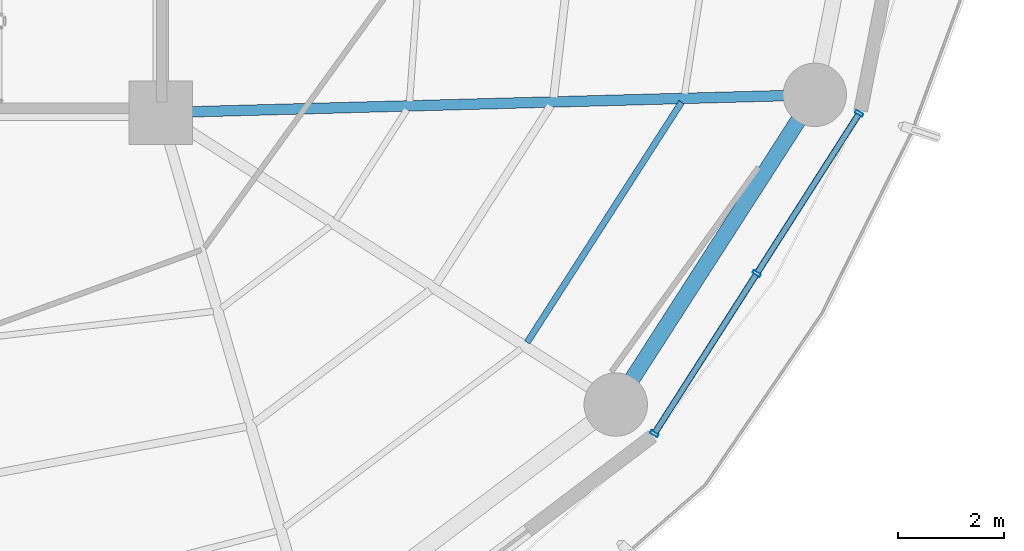
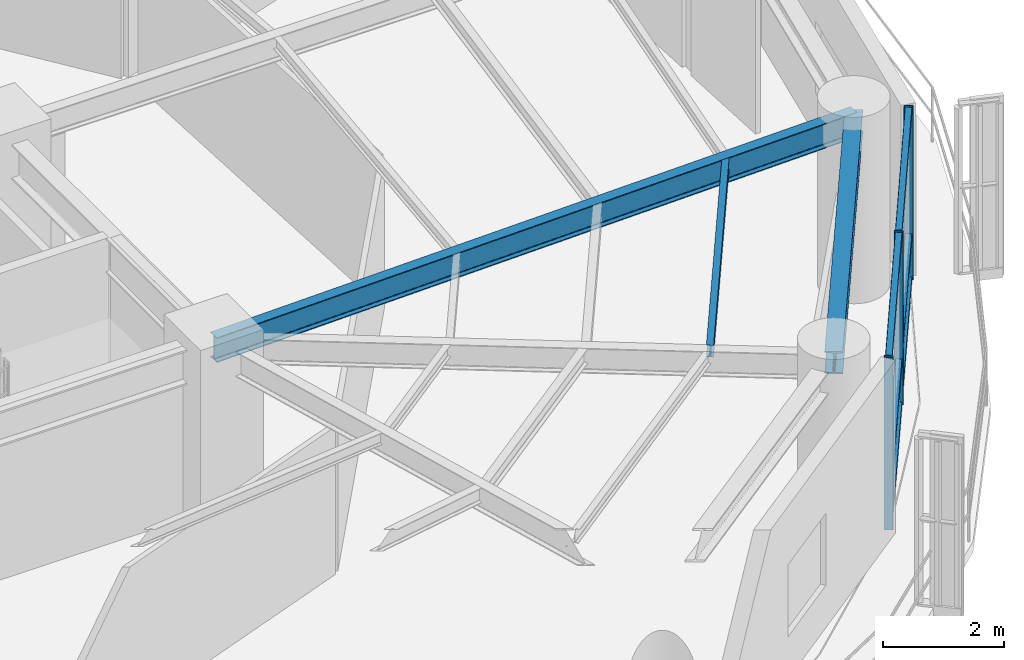
# One storey, part 11 of 28: 9 members, 3 beams, 1 element without a shape of its own.
"""IFC4 building model written with IfcOpenShell, lengths in metres."""

from ifc_helpers import new_model, si_unit, direction, frame, origin, origin_2d, place, context, subcontext, project, spatial, hollow_rectangle, i_section, extrude, material, layer, layer_set, material_profile, profile_set, type_object, element, aggregate, save


model = new_model("IFC4")

# Units and contexts
model_context = context("Model", 3, precision=1e-05, world=origin(), true_north=direction((0.0, 1.0)))
body_context = subcontext(model_context, "Body", "Model", "MODEL_VIEW")
ifc_project = project(units=[si_unit("LENGTHUNIT", "METRE"), si_unit("AREAUNIT", "SQUARE_METRE"), si_unit("VOLUMEUNIT", "CUBIC_METRE"), si_unit("PLANEANGLEUNIT", "RADIAN"), si_unit("MASSUNIT", "GRAM", prefix="KILO")], contexts=[model_context])

# Site, building, storey
site_placement = place(None, origin())
site = spatial("IfcSite", under=ifc_project, at=site_placement, CompositionType="ELEMENT")
building_placement = place(site_placement, origin())
building = spatial("IfcBuilding", under=site, at=building_placement, Name="Kelanora Arch Commons", CompositionType="ELEMENT")
storey_placement = place(building_placement, frame((0.0, 0.0, 176.85009765625)))
storey = spatial("IfcBuildingStorey", under=building, at=storey_placement, Name="L45", CompositionType="ELEMENT", Elevation=176.85009765625)

# Beams
ifc_material_1 = material(Name="Steel S355", Category="steel")
ifc_material_profile_1 = material_profile(ifc_material_1, i_section(OverallWidth=0.1201171875, OverallDepth=0.239990234375, WebThickness=0.006103515625, FlangeThickness=0.009765625, FilletRadius=0.014892578125, at=origin_2d()), Name="IPE240")
ifc_profile_set_1 = profile_set([ifc_material_profile_1], Name="Steel S355")
beam_type_1 = type_object("IfcBeamType", Name="BM-JST-02", PredefinedType="JOIST", material=ifc_profile_set_1)
beam_1_placement = place(storey_placement, frame((88.93212890625, 46.654296875, 3.369873046875), z_axis=(0.540581678156, 0.841291536414, 0.0), x_axis=(-0.841291536414, 0.540581678156, 0.0)))
element("IfcBeam", 1, at=beam_1_placement, inside=storey, type_object=beam_type_1, Name="Secondary Chord Joist BJC-32 L45", PredefinedType="JOIST", context=body_context, shape_type="SweptSolid", body=[
    extrude(i_section(OverallWidth=0.1201171875, OverallDepth=0.239990234375, WebThickness=0.006103515625, FlangeThickness=0.009765625, FilletRadius=0.014892578125, at=origin_2d()), origin(), (0.0, 0.0, 1.0), 5.4013671875),
])
ifc_material_profile_2 = material_profile(ifc_material_1, i_section(OverallWidth=0.199951171875, OverallDepth=0.5, WebThickness=0.01025390625, FlangeThickness=0.01611328125, FilletRadius=0.02099609375, at=origin_2d()), Name="IPE500")
ifc_profile_set_2 = profile_set([ifc_material_profile_2], Name="Steel S355")
beam_type_2 = type_object("IfcBeamType", Name="BM-RAD-Z3", PredefinedType="BEAM", material=ifc_profile_set_2)
beam_2_placement = place(storey_placement, frame((82.0, 51.0, 3.239990234375), z_axis=(0.999628374924, 0.027260081577, 0.0), x_axis=(-0.027260081577, 0.999628374924, 0.0)))
element("IfcBeam", 2, at=beam_2_placement, inside=storey, type_object=beam_type_2, Name="Radial Floor Girder BR-34 L45", PredefinedType="BEAM", context=body_context, shape_type="SweptSolid", body=[
    extrude(i_section(OverallWidth=0.199951171875, OverallDepth=0.5, WebThickness=0.01025390625, FlangeThickness=0.01611328125, FilletRadius=0.02099609375, at=origin_2d()), origin(), (0.0, 0.0, 1.0), 12.377197265625),
])
ifc_material_profile_3 = material_profile(ifc_material_1, i_section(OverallWidth=0.300048828125, OverallDepth=0.449951171875, WebThickness=0.013916015625, FlangeThickness=0.02587890625, FilletRadius=0.027099609375, at=origin_2d()), Name="HEB450")
ifc_profile_set_3 = profile_set([ifc_material_profile_3], Name="Steel S355")
beam_type_3 = type_object("IfcBeamType", Name="BM-SPN-Z3", PredefinedType="SPANDREL", material=ifc_profile_set_3)
beam_3_placement = place(storey_placement, frame((90.60791015625, 45.478515625, 3.264892578125), z_axis=(0.540576852469, 0.841294637196, 0.0), x_axis=(-0.841294637196, 0.540576852469, 0.0)))
element("IfcBeam", 3, at=beam_3_placement, inside=storey, type_object=beam_type_3, Name="Perimeter Spandrel Beam BS-32 L45", PredefinedType="SPANDREL", context=body_context, shape_type="SweptSolid", body=[
    extrude(i_section(OverallWidth=0.300048828125, OverallDepth=0.449951171875, WebThickness=0.013916015625, FlangeThickness=0.02587890625, FilletRadius=0.027099609375, at=origin_2d()), origin(), (0.0, 0.0, 1.0), 6.964111328125),
])

# Curtain wall, members
ifc_material_2 = material(Name="Terracotta ceramic-fritted low-E glass and aluminium", Category="masonry")
ifc_layer = layer(ifc_material_2, 0.175048828125)
ifc_layer_set = layer_set([ifc_layer], Name="Terracotta ceramic-fritted low-E glass and aluminium")
curtain_wall_type = type_object("IfcCurtainWallType", Name="CW-SYS-02", PredefinedType="NOTDEFINED", material=ifc_layer_set)
curtain_wall_placement = place(storey_placement, origin())
curtain_wall = element("IfcCurtainWall", 4, at=curtain_wall_placement, inside=storey, type_object=curtain_wall_type, Name="Unitised Curtain Wall L45-B16", PredefinedType="NOTDEFINED")
ifc_material_3 = material(Name="Powder-coated aluminium terracotta", Category="masonry")
ifc_material_profile_4 = material_profile(ifc_material_3, hollow_rectangle(XDim=0.159912109375, YDim=0.06005859375, WallThickness=0.0048828125, InnerFilletRadius=0.0048828125, OuterFilletRadius=0.010009765625, at=origin_2d()), Name="CWM160x60")
ifc_profile_set_4 = profile_set([ifc_material_profile_4], Name="Powder-coated aluminium terracotta")
member_type_1 = type_object("IfcMemberType", Name="CWM-STD", PredefinedType="MULLION", material=ifc_profile_set_4)
member_1_placement = place(storey_placement, frame((91.3369140625, 44.925048828125, 0.0), z_axis=(0.0, 0.0, 1.0), x_axis=(-0.842422846546, 0.538816988983, 0.0)))
member_1 = element("IfcMember", 5, at=member_1_placement, type_object=member_type_1, Name="CW-02 mullion 1", PredefinedType="MULLION", context=body_context, shape_type="SweptSolid", body=[
    extrude(hollow_rectangle(XDim=0.159912109375, YDim=0.06005859375, WallThickness=0.0048828125, InnerFilletRadius=0.0048828125, OuterFilletRadius=0.010009765625, at=origin_2d()), origin(), (0.0, 0.0, 1.0), 3.474853515625),
])
member_2_placement = place(storey_placement, frame((93.27490234375, 47.954833984375, 0.0), z_axis=(0.0, 0.0, 1.0), x_axis=(-0.842422846546, 0.538816988983, 0.0)))
member_2 = element("IfcMember", 6, at=member_2_placement, type_object=member_type_1, Name="CW-02 mullion 2", PredefinedType="MULLION", context=body_context, shape_type="SweptSolid", body=[
    extrude(hollow_rectangle(XDim=0.159912109375, YDim=0.06005859375, WallThickness=0.0048828125, InnerFilletRadius=0.0048828125, OuterFilletRadius=0.010009765625, at=origin_2d()), origin(), (0.0, 0.0, 1.0), 3.474853515625),
])
member_3_placement = place(storey_placement, frame((95.212890625, 50.98486328125, 0.0), z_axis=(0.0, 0.0, 1.0), x_axis=(-0.842422846546, 0.538816988983, 0.0)))
member_3 = element("IfcMember", 7, at=member_3_placement, type_object=member_type_1, Name="CW-02 mullion 3", PredefinedType="MULLION", context=body_context, shape_type="SweptSolid", body=[
    extrude(hollow_rectangle(XDim=0.159912109375, YDim=0.06005859375, WallThickness=0.0048828125, InnerFilletRadius=0.0048828125, OuterFilletRadius=0.010009765625, at=origin_2d()), origin(), (0.0, 0.0, 1.0), 3.474853515625),
])
ifc_material_profile_5 = material_profile(ifc_material_3, hollow_rectangle(XDim=0.1201171875, YDim=0.06005859375, WallThickness=0.0048828125, InnerFilletRadius=0.0048828125, OuterFilletRadius=0.010009765625, at=origin_2d()), Name="CWT120x60")
ifc_profile_set_5 = profile_set([ifc_material_profile_5], Name="Powder-coated aluminium terracotta")
member_type_2 = type_object("IfcMemberType", Name="CWT-STD", PredefinedType="USERDEFINED", material=ifc_profile_set_5)
member_4_placement = place(storey_placement, frame((91.35302734375, 44.9501953125, 0.02978515625), z_axis=(0.53883037555, 0.842414284295, 0.0), x_axis=(-0.842414284295, 0.53883037555, 0.0)))
member_4 = element("IfcMember", 8, at=member_4_placement, type_object=member_type_2, Name="CW-02 transom 1.1", ObjectType="TRANSOM", PredefinedType="USERDEFINED", context=body_context, shape_type="SweptSolid", body=[
    extrude(hollow_rectangle(XDim=0.1201171875, YDim=0.06005859375, WallThickness=0.0048828125, InnerFilletRadius=0.0048828125, OuterFilletRadius=0.010009765625, at=origin_2d()), origin(), (0.0, 0.0, 1.0), 3.536865234375),
])
member_5_placement = place(storey_placement, frame((91.35302734375, 44.9501953125, 0.89990234375), z_axis=(0.53883037555, 0.842414284295, 0.0), x_axis=(-0.842414284295, 0.53883037555, 0.0)))
member_5 = element("IfcMember", 9, at=member_5_placement, type_object=member_type_2, Name="CW-02 transom 1.2", ObjectType="TRANSOM", PredefinedType="USERDEFINED", context=body_context, shape_type="SweptSolid", body=[
    extrude(hollow_rectangle(XDim=0.1201171875, YDim=0.06005859375, WallThickness=0.0048828125, InnerFilletRadius=0.0048828125, OuterFilletRadius=0.010009765625, at=origin_2d()), origin(), (0.0, 0.0, 1.0), 3.536865234375),
])
member_6_placement = place(storey_placement, frame((91.35302734375, 44.9501953125, 3.44482421875), z_axis=(0.53883037555, 0.842414284295, 0.0), x_axis=(-0.842414284295, 0.53883037555, 0.0)))
member_6 = element("IfcMember", 10, at=member_6_placement, type_object=member_type_2, Name="CW-02 transom 1.3", ObjectType="TRANSOM", PredefinedType="USERDEFINED", context=body_context, shape_type="SweptSolid", body=[
    extrude(hollow_rectangle(XDim=0.1201171875, YDim=0.06005859375, WallThickness=0.0048828125, InnerFilletRadius=0.0048828125, OuterFilletRadius=0.010009765625, at=origin_2d()), origin(), (0.0, 0.0, 1.0), 3.536865234375),
])
member_7_placement = place(storey_placement, frame((93.291015625, 47.980224609375, 0.02978515625), z_axis=(0.53883037555, 0.842414284295, 0.0), x_axis=(-0.842414284295, 0.53883037555, 0.0)))
member_7 = element("IfcMember", 11, at=member_7_placement, type_object=member_type_2, Name="CW-02 transom 2.1", ObjectType="TRANSOM", PredefinedType="USERDEFINED", context=body_context, shape_type="SweptSolid", body=[
    extrude(hollow_rectangle(XDim=0.1201171875, YDim=0.06005859375, WallThickness=0.0048828125, InnerFilletRadius=0.0048828125, OuterFilletRadius=0.010009765625, at=origin_2d()), origin(), (0.0, 0.0, 1.0), 3.536865234375),
])
member_8_placement = place(storey_placement, frame((93.291015625, 47.980224609375, 0.89990234375), z_axis=(0.53883037555, 0.842414284295, 0.0), x_axis=(-0.842414284295, 0.53883037555, 0.0)))
member_8 = element("IfcMember", 12, at=member_8_placement, type_object=member_type_2, Name="CW-02 transom 2.2", ObjectType="TRANSOM", PredefinedType="USERDEFINED", context=body_context, shape_type="SweptSolid", body=[
    extrude(hollow_rectangle(XDim=0.1201171875, YDim=0.06005859375, WallThickness=0.0048828125, InnerFilletRadius=0.0048828125, OuterFilletRadius=0.010009765625, at=origin_2d()), origin(), (0.0, 0.0, 1.0), 3.536865234375),
])
member_9_placement = place(storey_placement, frame((93.291015625, 47.980224609375, 3.44482421875), z_axis=(0.53883037555, 0.842414284295, 0.0), x_axis=(-0.842414284295, 0.53883037555, 0.0)))
member_9 = element("IfcMember", 13, at=member_9_placement, type_object=member_type_2, Name="CW-02 transom 2.3", ObjectType="TRANSOM", PredefinedType="USERDEFINED", context=body_context, shape_type="SweptSolid", body=[
    extrude(hollow_rectangle(XDim=0.1201171875, YDim=0.06005859375, WallThickness=0.0048828125, InnerFilletRadius=0.0048828125, OuterFilletRadius=0.010009765625, at=origin_2d()), origin(), (0.0, 0.0, 1.0), 3.536865234375),
])
aggregate(curtain_wall, [member_1, member_2, member_3, member_4, member_5, member_6, member_7, member_8, member_9])

save(model, "model.ifc")
